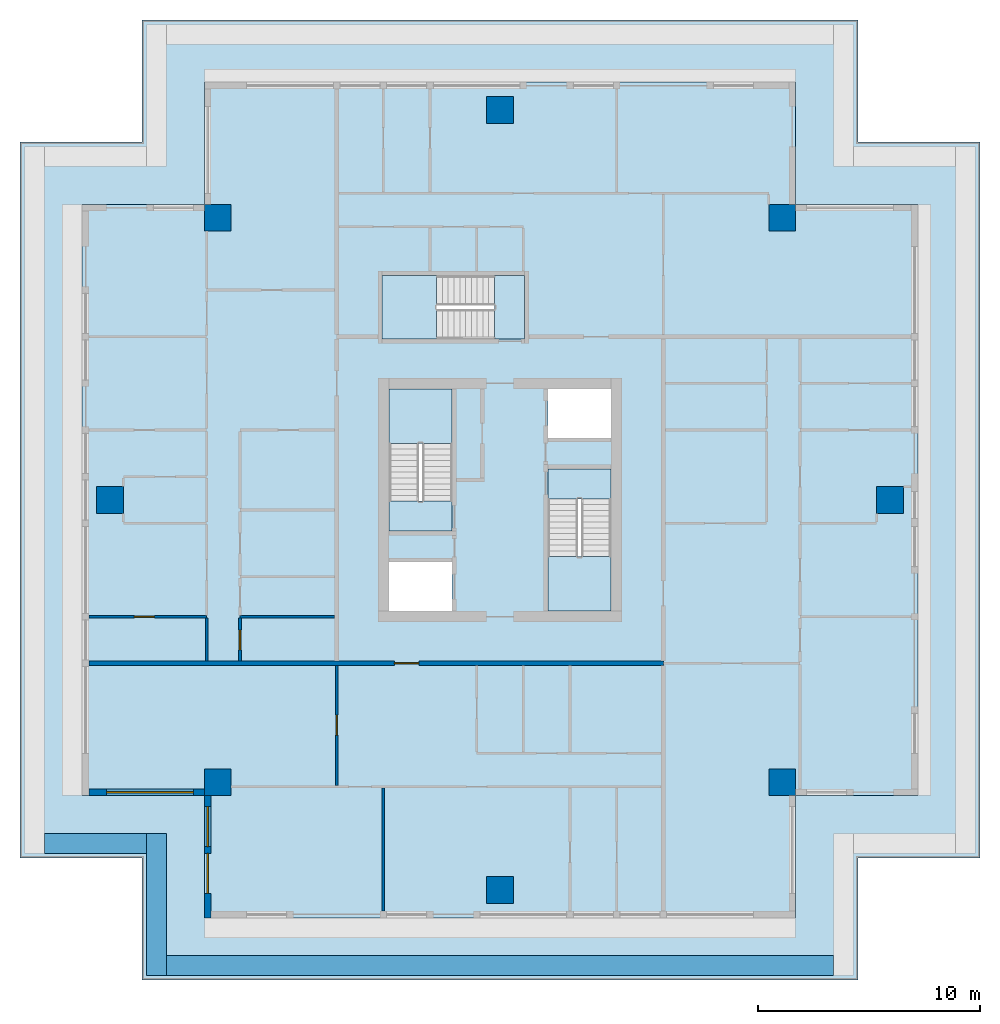
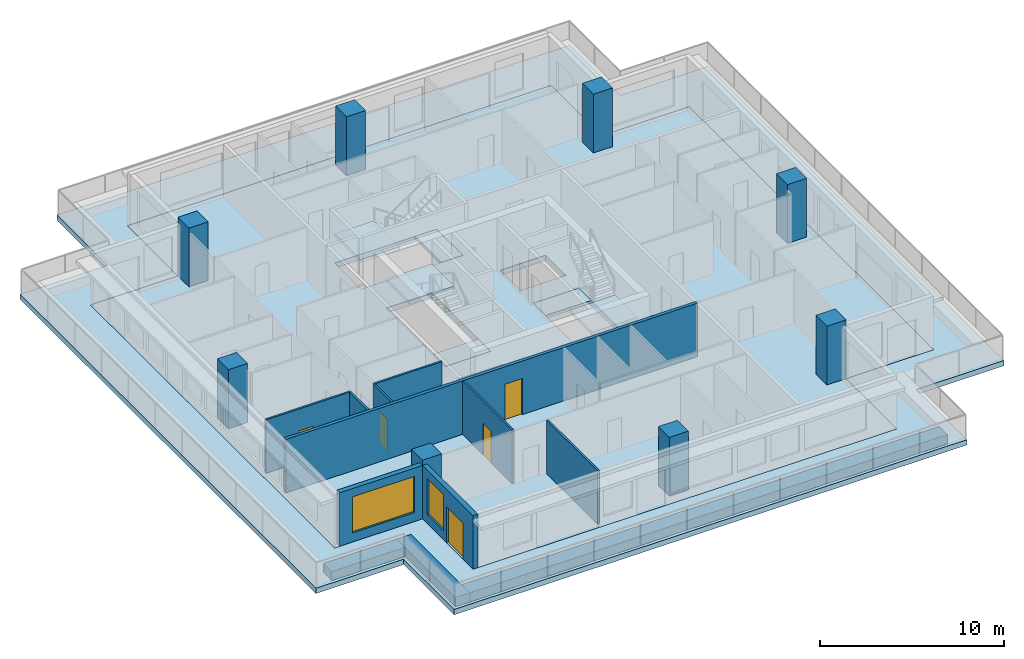
# One storey, part 1 of 10: 12 walls, 8 columns, 8 slabs, 5 doors, 2 windows, 7 openings, 3 elements without a shape of their own.
"""IFC4 building model written with IfcOpenShell, lengths in metres."""

from ifc_helpers import new_model, si_unit, direction, frame, frame_2d, origin, origin_2d, place, context, subcontext, project, spatial, polyline, rectangle, outline, extrude, material, layer, layer_set, material_profile, profile_set, type_object, element, fill, aggregate, save


model = new_model("IFC4")

# Units and contexts
model_context = context("Model", 3, precision=1e-05, world=origin(), true_north=direction((0.0, 1.0)))
body_context = subcontext(model_context, "Body", "Model", "MODEL_VIEW")
ifc_project = project(units=[si_unit("LENGTHUNIT", "METRE"), si_unit("AREAUNIT", "SQUARE_METRE"), si_unit("VOLUMEUNIT", "CUBIC_METRE"), si_unit("PLANEANGLEUNIT", "RADIAN"), si_unit("MASSUNIT", "GRAM", prefix="KILO")], contexts=[model_context])

# Site, building, storey
site_placement = place(None, origin())
site = spatial("IfcSite", under=ifc_project, at=site_placement, CompositionType="ELEMENT")
building_placement = place(site_placement, origin())
building = spatial("IfcBuilding", under=site, at=building_placement, Name="Khepri Terraces", CompositionType="ELEMENT")
storey_placement = place(building_placement, frame((0.0, 0.0, 300.60009765625)))
storey = spatial("IfcBuildingStorey", under=building, at=storey_placement, Name="L72", CompositionType="ELEMENT", Elevation=300.60009765625)

# Columns
ifc_material_1 = material(Name="Concrete C40/50", Category="concrete")
ifc_material_profile = material_profile(ifc_material_1, rectangle(XDim=1.199951171875, YDim=1.199951171875, at=origin_2d()), Name="Concrete C40/50", Category="concrete")
ifc_profile_set = profile_set([ifc_material_profile], Name="Concrete C40/50")
column_type = type_object("IfcColumnType", Name="Crown column RC 1200x1200 C40/50", PredefinedType="COLUMN", material=ifc_profile_set)
for number, where, z_axis, x_axis, name in (
    (1, (17.550048828125, 0.0, -0.35009765625), (0.0, 0.0, 1.0), (1.0, 0.0, 0.0), "Crown column CT2E L72"),
    (2, (12.699951171875, 12.699951171875, -0.35009765625), (0.0, 0.0, 1.0), (1.0, 0.0, 0.0), "Crown column CT2EN L72"),
    (3, (12.699951171875, -12.699951171875, -0.35009765625), (0.0, 0.0, 1.0), (1.0, 0.0, 0.0), "Crown column CT2ES L72"),
    (4, (0.0, 17.550048828125, -0.35009765625), (0.0, 0.0, 1.0), (1.0, 0.0, 0.0), "Crown column CT2N L72"),
    (5, (0.0, -17.550048828125, -0.35009765625), (0.0, 0.0, 1.0), (1.0, 0.0, 0.0), "Crown column CT2S L72"),
    (6, (-17.550048828125, 0.0, -0.35009765625), (0.0, 0.0, 1.0), (1.0, 0.0, 0.0), "Crown column CT2W L72"),
    (7, (-12.699951171875, 12.699951171875, -0.35009765625), (0.0, 0.0, 1.0), (1.0, 0.0, 0.0), "Crown column CT2WN L72"),
    (8, (-12.699951171875, -12.699951171875, -0.35009765625), (0.0, 0.0, 1.0), (1.0, 0.0, 0.0), "Crown column CT2WS L72"),
):
    element("IfcColumn", number, at=place(storey_placement, frame(where, z_axis=z_axis, x_axis=x_axis)), inside=storey, type_object=column_type, Name=name, PredefinedType="COLUMN", context=body_context, shape_type="SweptSolid", body=[
        extrude(rectangle(XDim=1.199951171875, YDim=1.199951171875, at=origin_2d()), origin(), (0.0, 0.0, 1.0), 4.25),
    ])

# Slabs
ifc_layer_1 = layer(ifc_material_1, 0.35009765625, Name="Concrete C40/50", Category="concrete")
ifc_layer_set_1 = layer_set([ifc_layer_1], Name="Concrete C40/50")
slab_type_1 = type_object("IfcSlabType", Name="Crown floor slab 350", PredefinedType="FLOOR", material=ifc_layer_set_1)
slab_1_placement = place(storey_placement, frame((0.0, 0.0, -0.35009765625)))
element("IfcSlab", 9, at=slab_1_placement, inside=storey, type_object=slab_type_1, Name="Floor slab F01 L72", PredefinedType="FLOOR", context=body_context, shape_type="SweptSolid", body=[
    extrude(outline(polyline([(-18.800048828125, -13.300048828125), (-18.800048828125, 13.300048828125), (-13.300048828125, 13.300048828125), (-13.300048828125, 18.800048828125), (13.300048828125, 18.800048828125), (13.300048828125, 13.300048828125), (18.800048828125, 13.300048828125), (18.800048828125, -13.300048828125), (13.300048828125, -13.300048828125), (13.300048828125, -18.800048828125), (-13.300048828125, -18.800048828125), (-13.300048828125, -13.300048828125), (-18.800048828125, -13.300048828125)]), holes=[polyline([(5.0, 5.0), (2.14990234375, 5.0), (2.14990234375, 2.800048828125), (5.0, 2.800048828125), (5.0, 5.0)]), polyline([(-2.14990234375, -5.0), (-2.14990234375, -2.800048828125), (-5.0, -2.800048828125), (-5.0, -5.0), (-2.14990234375, -5.0)]), polyline([(-5.0, -1.39990234375), (-2.14990234375, -1.39990234375), (-2.14990234375, 5.0), (-5.0, 5.0), (-5.0, -1.39990234375)]), polyline([(5.0, -5.0), (5.0, 1.39990234375), (2.14990234375, 1.39990234375), (2.14990234375, -5.0), (5.0, -5.0)]), polyline([(-5.300048828125, 10.10009765625), (-5.300048828125, 7.25), (1.10009765625, 7.25), (1.10009765625, 10.10009765625), (-5.300048828125, 10.10009765625)])]), origin(), (0.0, 0.0, 1.0), 0.35009765625),
])
ifc_layer_2 = layer(ifc_material_1, 0.35009765625, Name="Concrete C40/50", Category="concrete")
ifc_layer_set_2 = layer_set([ifc_layer_2], Name="Concrete C40/50")
slab_type_2 = type_object("IfcSlabType", Name="Crown roof slab 350", PredefinedType="ROOF", material=ifc_layer_set_2)
slab_2_placement = place(storey_placement, frame((0.0, 0.0, -0.35009765625)))
element("IfcSlab", 10, at=slab_2_placement, inside=storey, type_object=slab_type_2, Name="Roof slab R01 below L72", PredefinedType="ROOF", context=body_context, shape_type="SweptSolid", body=[
    extrude(outline(polyline([(-16.10009765625, -16.10009765625), (-18.800048828125, -16.10009765625), (-21.60009765625, -16.10009765625), (-21.60009765625, 16.10009765625), (-18.800048828125, 16.10009765625), (-16.10009765625, 16.10009765625), (-16.10009765625, 18.800048828125), (-16.10009765625, 21.60009765625), (16.10009765625, 21.60009765625), (16.10009765625, 18.800048828125), (16.10009765625, 16.10009765625), (18.800048828125, 16.10009765625), (21.60009765625, 16.10009765625), (21.60009765625, -16.10009765625), (18.800048828125, -16.10009765625), (16.10009765625, -16.10009765625), (16.10009765625, -18.800048828125), (16.10009765625, -21.60009765625), (-16.10009765625, -21.60009765625), (-16.10009765625, -18.800048828125), (-16.10009765625, -16.10009765625)]), holes=[polyline([(-18.800048828125, -13.300048828125), (-13.300048828125, -13.300048828125), (-13.300048828125, -18.800048828125), (13.300048828125, -18.800048828125), (13.300048828125, -13.300048828125), (18.800048828125, -13.300048828125), (18.800048828125, 13.300048828125), (13.300048828125, 13.300048828125), (13.300048828125, 18.800048828125), (-13.300048828125, 18.800048828125), (-13.300048828125, 13.300048828125), (-18.800048828125, 13.300048828125), (-18.800048828125, -13.300048828125)])]), origin(), (0.0, 0.0, 1.0), 0.35009765625),
])

# Stair, slabs
stair_type = type_object("IfcStairType", Name="STAIR-RC-22R", PredefinedType="HALF_TURN_STAIR", material=ifc_material_1)
stair_1_placement = place(storey_placement, origin())
stair_1 = element("IfcStair", 11, at=stair_1_placement, inside=storey, type_object=stair_type, Name="L72 Exit Stair ST-1", PredefinedType="HALF_TURN_STAIR")
ifc_layer_3 = layer(ifc_material_1, 0.199951171875, Name="Concrete C40/50", Category="concrete")
ifc_layer_set_3 = layer_set([ifc_layer_3], Name="Concrete C40/50")
slab_type_3 = type_object("IfcSlabType", Name="SLB-CORE-LANDING", PredefinedType="LANDING", material=ifc_layer_set_3)
slab_3_placement = place(storey_placement, frame((0.0, 0.0, -0.2001953125)))
slab_3 = element("IfcSlab", 12, at=slab_3_placement, type_object=slab_type_3, Name="ST-1 landing 1", PredefinedType="LANDING", context=body_context, shape_type="SweptSolid", body=[
    extrude(outline(polyline([(-2.14990234375, -1.39990234375), (-2.14990234375, -0.050048828125), (-5.0, -0.050048828125), (-5.0, -1.39990234375), (-2.14990234375, -1.39990234375)])), origin(), (0.0, 0.0, 1.0), 0.2001953125),
])
slab_4_placement = place(storey_placement, frame((0.0, 0.0, 1.75)))
slab_4 = element("IfcSlab", 13, at=slab_4_placement, type_object=slab_type_3, Name="ST-1 landing 2", PredefinedType="LANDING", context=body_context, shape_type="SweptSolid", body=[
    extrude(outline(polyline([(-2.14990234375, 2.550048828125), (-2.14990234375, 5.0), (-5.0, 5.0), (-5.0, 2.550048828125), (-2.14990234375, 2.550048828125)])), origin(), (0.0, 0.0, 1.0), 0.199951171875),
])
aggregate(stair_1, [slab_3, slab_4])

stair_2_placement = place(storey_placement, origin())
stair_2 = element("IfcStair", 14, at=stair_2_placement, inside=storey, type_object=stair_type, Name="L72 Exit Stair ST-2", PredefinedType="HALF_TURN_STAIR")
slab_5_placement = place(storey_placement, frame((0.0, 0.0, -0.2001953125)))
slab_5 = element("IfcSlab", 15, at=slab_5_placement, type_object=slab_type_3, Name="ST-2 landing 1", PredefinedType="LANDING", context=body_context, shape_type="SweptSolid", body=[
    extrude(outline(polyline([(2.14990234375, 1.39990234375), (2.14990234375, 0.050048828125), (5.0, 0.050048828125), (5.0, 1.39990234375), (2.14990234375, 1.39990234375)])), origin(), (0.0, 0.0, 1.0), 0.2001953125),
])
slab_6_placement = place(storey_placement, frame((0.0, 0.0, 1.75)))
slab_6 = element("IfcSlab", 16, at=slab_6_placement, type_object=slab_type_3, Name="ST-2 landing 2", PredefinedType="LANDING", context=body_context, shape_type="SweptSolid", body=[
    extrude(outline(polyline([(2.14990234375, -2.550048828125), (2.14990234375, -5.0), (5.0, -5.0), (5.0, -2.550048828125), (2.14990234375, -2.550048828125)])), origin(), (0.0, 0.0, 1.0), 0.199951171875),
])
aggregate(stair_2, [slab_5, slab_6])

stair_3_placement = place(storey_placement, origin())
stair_3 = element("IfcStair", 17, at=stair_3_placement, inside=storey, type_object=stair_type, Name="L72 Exit Stair ST-3", PredefinedType="HALF_TURN_STAIR")
slab_7_placement = place(storey_placement, frame((0.0, 0.0, -0.2001953125)))
slab_7 = element("IfcSlab", 18, at=slab_7_placement, type_object=slab_type_3, Name="ST-3 landing 1", PredefinedType="LANDING", context=body_context, shape_type="SweptSolid", body=[
    extrude(outline(polyline([(1.10009765625, 10.10009765625), (-0.25, 10.10009765625), (-0.25, 7.25), (1.10009765625, 7.25), (1.10009765625, 10.10009765625)])), origin(), (0.0, 0.0, 1.0), 0.2001953125),
])
slab_8_placement = place(storey_placement, frame((0.0, 0.0, 1.75)))
slab_8 = element("IfcSlab", 19, at=slab_8_placement, type_object=slab_type_3, Name="ST-3 landing 2", PredefinedType="LANDING", context=body_context, shape_type="SweptSolid", body=[
    extrude(outline(polyline([(-2.85009765625, 10.10009765625), (-5.300048828125, 10.10009765625), (-5.300048828125, 7.25), (-2.85009765625, 7.25), (-2.85009765625, 10.10009765625)])), origin(), (0.0, 0.0, 1.0), 0.199951171875),
])
aggregate(stair_3, [slab_7, slab_8])

# Wall, opening, door
ifc_material_2 = material(Name="Fire-rated gypsum plasterboard partition, mineral wool")
ifc_layer_4 = layer(ifc_material_2, 0.199951171875, Name="Fire-rated gypsum plasterboard partition, mineral wool")
ifc_layer_set_4 = layer_set([ifc_layer_4], Name="Fire-rated gypsum plasterboard partition, mineral wool")
wall_type_1 = type_object("IfcWallType", Name="WL-CORR-200", PredefinedType="PARTITIONING", material=ifc_layer_set_4)
wall_1_placement = place(storey_placement, frame((-18.5, -7.35009765625, 0.0), z_axis=(0.0, 0.0, 1.0), x_axis=(1.0, 0.0, 0.0)))
wall_1 = element("IfcWall", 20, at=wall_1_placement, inside=storey, type_object=wall_type_1, Name="Partition P-012 L72", PredefinedType="PARTITIONING", context=body_context, shape_type="SweptSolid", body=[
    extrude(rectangle(XDim=25.85009765625, YDim=0.199951171875, at=frame_2d((12.925048828125, 0.0))), origin(), (0.0, 0.0, 1.0), 3.5498046875),
])
opening_1_placement = place(wall_1_placement, frame((13.75, 0.0, 0.0)))
opening_1 = element("IfcOpeningElement", 21, at=opening_1_placement, cuts=wall_1, Name="Opening D1", PredefinedType="OPENING", context=body_context, shape_type="SweptSolid", body=[
    extrude(rectangle(XDim=1.10009765625, YDim=2.39990234375, at=frame_2d((0.550048828125, 1.199951171875))), frame((0.0, 0.10986328125, 0.0), z_axis=(0.0, -1.0, 0.0), x_axis=(1.0, 0.0, 0.0)), (0.0, 0.0, 1.0), 0.219970703125),
])
ifc_material_3 = material(Name="Solid-core timber door leaf, flat entrance door", Category="wood")
door_type_1 = type_object("IfcDoorType", Name="DR-ENT-1100", OperationType="NOTDEFINED", PredefinedType="DOOR", material=ifc_material_3)
door_1_placement = place(opening_1_placement, frame((1.10009765625, 0.0, 0.0), z_axis=(0.0, 0.0, 1.0), x_axis=(-1.0, 0.0, 0.0)))
door_1 = element("IfcDoor", 22, at=door_1_placement, inside=storey, type_object=door_type_1, Name="Flat A1 entrance door", OperationType="SINGLE_SWING_LEFT", OverallHeight=2.39990234375, OverallWidth=1.10009765625, PredefinedType="DOOR", context=body_context, shape_type="SweptSolid", body=[
    extrude(rectangle(XDim=1.10009765625, YDim=2.39990234375, at=frame_2d((0.550048828125, 1.199951171875))), frame((0.0, 0.02490234375, 0.0), z_axis=(0.0, -1.0, 0.0), x_axis=(1.0, 0.0, 0.0)), (0.0, 0.0, 1.0), 0.050048828125),
])
fill(opening_1, door_1)

# Wall, opening, window
ifc_material_4 = material(Name="Precast concrete C50/60 warm stone", Category="masonry")
ifc_layer_5 = layer(ifc_material_4, 0.300048828125, Name="Precast concrete C50/60 warm stone", Category="masonry")
ifc_layer_set_5 = layer_set([ifc_layer_5], Name="Precast concrete C50/60 warm stone")
wall_type_2 = type_object("IfcWallType", Name="WL-EXT-PRECAST-300", PredefinedType="STANDARD", material=ifc_layer_set_5)
wall_2_placement = place(storey_placement, frame((-18.5, -13.14990234375, 0.0), z_axis=(0.0, 0.0, 1.0), x_axis=(1.0, 0.0, 0.0)))
wall_2 = element("IfcWall", 23, at=wall_2_placement, inside=storey, type_object=wall_type_2, Name="External wall L72 S", PredefinedType="STANDARD", context=body_context, shape_type="SweptSolid", body=[
    extrude(rectangle(XDim=5.199951171875, YDim=0.300048828125, at=frame_2d((2.60009765625, 0.0))), origin(), (0.0, 0.0, 1.0), 3.5498046875),
])
opening_2_placement = place(wall_2_placement, frame((0.800048828125, 0.0, 0.60009765625)))
opening_2 = element("IfcOpeningElement", 24, at=opening_2_placement, cuts=wall_2, Name="Opening WC2", PredefinedType="OPENING", context=body_context, shape_type="SweptSolid", body=[
    extrude(rectangle(XDim=3.89990234375, YDim=2.39990234375, at=frame_2d((1.949951171875, 1.199951171875))), frame((0.0, 0.16015625, 0.0), z_axis=(0.0, -1.0, 0.0), x_axis=(1.0, 0.0, 0.0)), (0.0, 0.0, 1.0), 0.320068359375),
])
ifc_material_5 = material(Name="Clear glass", Category="glass")
window_type_1 = type_object("IfcWindowType", Name="WIN-CRN-3900x2400", PartitioningType="SINGLE_PANEL", PredefinedType="WINDOW", material=ifc_material_5)
window_1_placement = place(opening_2_placement, origin())
window_1 = element("IfcWindow", 25, at=window_1_placement, inside=storey, type_object=window_type_1, Name="Window L72 S", OverallHeight=2.39990234375, OverallWidth=3.89990234375, PartitioningType="SINGLE_PANEL", PredefinedType="WINDOW", context=body_context, shape_type="SweptSolid", body=[
    extrude(rectangle(XDim=3.89990234375, YDim=2.39990234375, at=frame_2d((1.949951171875, 1.199951171875))), frame((0.0, 0.030029296875, 0.0), z_axis=(0.0, -1.0, 0.0), x_axis=(1.0, 0.0, 0.0)), (0.0, 0.0, 1.0), 0.06005859375),
])
fill(opening_2, window_1)

# Wall, openings, door, window
wall_3_placement = place(storey_placement, frame((-13.14990234375, -13.300048828125, 0.0), z_axis=(0.0, 0.0, 1.0), x_axis=(0.0, -1.0, 0.0)))
wall_3 = element("IfcWall", 26, at=wall_3_placement, inside=storey, type_object=wall_type_2, Name="External wall L72 W", PredefinedType="STANDARD", context=body_context, shape_type="SweptSolid", body=[
    extrude(rectangle(XDim=5.5, YDim=0.300048828125, at=frame_2d((2.75, 0.0))), origin(), (0.0, 0.0, 1.0), 3.5498046875),
])
opening_3_placement = place(wall_3_placement, frame((0.5, 0.0, 0.60009765625)))
opening_3 = element("IfcOpeningElement", 27, at=opening_3_placement, cuts=wall_3, Name="Opening WC1", PredefinedType="OPENING", context=body_context, shape_type="SweptSolid", body=[
    extrude(rectangle(XDim=1.800048828125, YDim=2.39990234375, at=frame_2d((0.89990234375, 1.199951171875))), frame((0.0, 0.16015625, 0.0), z_axis=(0.0, -1.0, 0.0), x_axis=(1.0, 0.0, 0.0)), (0.0, 0.0, 1.0), 0.320068359375),
])
opening_4_placement = place(wall_3_placement, frame((2.60009765625, 0.0, 0.0)))
opening_4 = element("IfcOpeningElement", 28, at=opening_4_placement, cuts=wall_3, Name="Opening ED-L72-10", PredefinedType="OPENING", context=body_context, shape_type="SweptSolid", body=[
    extrude(rectangle(XDim=1.800048828125, YDim=2.39990234375, at=frame_2d((0.89990234375, 1.199951171875))), frame((0.0, 0.16015625, 0.0), z_axis=(0.0, -1.0, 0.0), x_axis=(1.0, 0.0, 0.0)), (0.0, 0.0, 1.0), 0.320068359375),
])
ifc_material_6 = material(Name="Anodised aluminium bronze glazed door", Category="aluminium")
door_type_2 = type_object("IfcDoorType", Name="DR-BAL-SLIDE-1800x2400", OperationType="NOTDEFINED", PredefinedType="DOOR", material=ifc_material_6)
door_2_placement = place(opening_4_placement, origin())
door_2 = element("IfcDoor", 29, at=door_2_placement, inside=storey, type_object=door_type_2, Name="Balcony door L72 W", OperationType="SLIDING_TO_LEFT", OverallHeight=2.39990234375, OverallWidth=1.800048828125, PredefinedType="DOOR", context=body_context, shape_type="SweptSolid", body=[
    extrude(rectangle(XDim=1.800048828125, YDim=2.39990234375, at=frame_2d((0.89990234375, 1.199951171875))), frame((0.0, 0.02490234375, 0.0), z_axis=(0.0, -1.0, 0.0), x_axis=(1.0, 0.0, 0.0)), (0.0, 0.0, 1.0), 0.050048828125),
])
fill(opening_4, door_2)
window_type_2 = type_object("IfcWindowType", Name="WIN-CRN-1800x2400", PartitioningType="SINGLE_PANEL", PredefinedType="WINDOW", material=ifc_material_5)
window_2_placement = place(opening_3_placement, origin())
window_2 = element("IfcWindow", 30, at=window_2_placement, inside=storey, type_object=window_type_2, Name="Window L72 W", OverallHeight=2.39990234375, OverallWidth=1.800048828125, PartitioningType="SINGLE_PANEL", PredefinedType="WINDOW", context=body_context, shape_type="SweptSolid", body=[
    extrude(rectangle(XDim=1.800048828125, YDim=2.39990234375, at=frame_2d((0.89990234375, 1.199951171875))), frame((0.0, 0.030029296875, 0.0), z_axis=(0.0, -1.0, 0.0), x_axis=(1.0, 0.0, 0.0)), (0.0, 0.0, 1.0), 0.06005859375),
])
fill(opening_3, window_2)

# Wall
ifc_material_7 = material(Name="Gypsum plasterboard partition")
ifc_layer_6 = layer(ifc_material_7, 0.1201171875, Name="Gypsum plasterboard partition")
ifc_layer_set_6 = layer_set([ifc_layer_6], Name="Gypsum plasterboard partition")
wall_type_3 = type_object("IfcWallType", Name="WL-PART-120", PredefinedType="PARTITIONING", material=ifc_layer_set_6)
wall_4_placement = place(storey_placement, frame((-5.25, -18.5, 0.0), z_axis=(0.0, 0.0, 1.0), x_axis=(0.0, 1.0, 0.0)))
element("IfcWall", 31, at=wall_4_placement, inside=storey, type_object=wall_type_3, Name="Partition P-001 L72", PredefinedType="PARTITIONING", context=body_context, shape_type="SweptSolid", body=[
    extrude(rectangle(XDim=5.5400390625, YDim=0.1201171875, at=frame_2d((2.77001953125, 0.0))), origin(), (0.0, 0.0, 1.0), 3.5498046875),
])

# Wall, opening, door
wall_5_placement = place(storey_placement, frame((-7.35009765625, -12.840087890625, 0.0), z_axis=(0.0, 0.0, 1.0), x_axis=(0.0, 1.0, 0.0)))
wall_5 = element("IfcWall", 32, at=wall_5_placement, inside=storey, type_object=wall_type_3, Name="Partition P-007 L72", PredefinedType="PARTITIONING", context=body_context, shape_type="SweptSolid", body=[
    extrude(rectangle(XDim=5.39013671875, YDim=0.1201171875, at=frame_2d((2.695068359375, 0.0))), origin(), (0.0, 0.0, 1.0), 3.5498046875),
])
opening_5_placement = place(wall_5_placement, frame((2.264892578125, 0.0, 0.0)))
opening_5 = element("IfcOpeningElement", 33, at=opening_5_placement, cuts=wall_5, Name="Opening D3", PredefinedType="OPENING", context=body_context, shape_type="SweptSolid", body=[
    extrude(rectangle(XDim=0.89990234375, YDim=2.10009765625, at=frame_2d((0.449951171875, 1.050048828125))), frame((0.0, 0.070068359375, 0.0), z_axis=(0.0, -1.0, 0.0), x_axis=(1.0, 0.0, 0.0)), (0.0, 0.0, 1.0), 0.14013671875),
])
ifc_material_8 = material(Name="Timber door leaf", Category="wood")
door_type_3 = type_object("IfcDoorType", Name="DR-INT-900", OperationType="NOTDEFINED", PredefinedType="DOOR", material=ifc_material_8)
door_3_placement = place(opening_5_placement, origin())
door_3 = element("IfcDoor", 34, at=door_3_placement, inside=storey, type_object=door_type_3, Name="Door Home Cinema", OperationType="SINGLE_SWING_RIGHT", OverallHeight=2.10009765625, OverallWidth=0.89990234375, PredefinedType="DOOR", context=body_context, shape_type="SweptSolid", body=[
    extrude(rectangle(XDim=0.89990234375, YDim=2.10009765625, at=frame_2d((0.449951171875, 1.050048828125))), frame((0.0, 0.02490234375, 0.0), z_axis=(0.0, -1.0, 0.0), x_axis=(1.0, 0.0, 0.0)), (0.0, 0.0, 1.0), 0.050048828125),
])
fill(opening_5, door_3)

# Wall
wall_6_placement = place(storey_placement, frame((-13.199951171875, -7.25, 0.0), z_axis=(0.0, 0.0, 1.0), x_axis=(0.0, 1.0, 0.0)))
element("IfcWall", 35, at=wall_6_placement, inside=storey, type_object=wall_type_3, Name="Partition P-015 L72", PredefinedType="PARTITIONING", context=body_context, shape_type="SweptSolid", body=[
    extrude(rectangle(XDim=1.93994140625, YDim=0.1201171875, at=frame_2d((0.969970703125, 0.0))), origin(), (0.0, 0.0, 1.0), 3.5498046875),
])

# Wall, opening, door
wall_7_placement = place(storey_placement, frame((-11.699951171875, -7.25, 0.0), z_axis=(0.0, 0.0, 1.0), x_axis=(0.0, 1.0, 0.0)))
wall_7 = element("IfcWall", 36, at=wall_7_placement, inside=storey, type_object=wall_type_3, Name="Partition P-016 L72", PredefinedType="PARTITIONING", context=body_context, shape_type="SweptSolid", body=[
    extrude(rectangle(XDim=1.93994140625, YDim=0.1201171875, at=frame_2d((0.969970703125, 0.0))), origin(), (0.0, 0.0, 1.0), 3.5498046875),
])
opening_6_placement = place(wall_7_placement, frame((0.5, 0.0, 0.0)))
opening_6 = element("IfcOpeningElement", 37, at=opening_6_placement, cuts=wall_7, Name="Opening D3", PredefinedType="OPENING", context=body_context, shape_type="SweptSolid", body=[
    extrude(rectangle(XDim=0.89990234375, YDim=2.10009765625, at=frame_2d((0.449951171875, 1.050048828125))), frame((0.0, 0.070068359375, 0.0), z_axis=(0.0, -1.0, 0.0), x_axis=(1.0, 0.0, 0.0)), (0.0, 0.0, 1.0), 0.14013671875),
])
door_4_placement = place(opening_6_placement, frame((0.89990234375, 0.0, 0.0), z_axis=(0.0, 0.0, 1.0), x_axis=(-1.0, 0.0, 0.0)))
door_4 = element("IfcDoor", 38, at=door_4_placement, inside=storey, type_object=door_type_3, Name="Door Utility Room", OperationType="SINGLE_SWING_RIGHT", OverallHeight=2.10009765625, OverallWidth=0.89990234375, PredefinedType="DOOR", context=body_context, shape_type="SweptSolid", body=[
    extrude(rectangle(XDim=0.89990234375, YDim=2.10009765625, at=frame_2d((0.449951171875, 1.050048828125))), frame((0.0, 0.02490234375, 0.0), z_axis=(0.0, -1.0, 0.0), x_axis=(1.0, 0.0, 0.0)), (0.0, 0.0, 1.0), 0.050048828125),
])
fill(opening_6, door_4)

wall_8_placement = place(storey_placement, frame((-18.5, -5.25, 0.0), z_axis=(0.0, 0.0, 1.0), x_axis=(1.0, 0.0, 0.0)))
wall_8 = element("IfcWall", 39, at=wall_8_placement, inside=storey, type_object=wall_type_3, Name="Partition P-019 L72", PredefinedType="PARTITIONING", context=body_context, shape_type="SweptSolid", body=[
    extrude(rectangle(XDim=5.300048828125, YDim=0.1201171875, at=frame_2d((2.64990234375, 0.0))), origin(), (0.0, 0.0, 1.0), 3.5498046875),
])
opening_7_placement = place(wall_8_placement, frame((2.050048828125, 0.0, 0.0)))
opening_7 = element("IfcOpeningElement", 40, at=opening_7_placement, cuts=wall_8, Name="Opening D4", PredefinedType="OPENING", context=body_context, shape_type="SweptSolid", body=[
    extrude(rectangle(XDim=0.89990234375, YDim=2.10009765625, at=frame_2d((0.449951171875, 1.050048828125))), frame((0.0, 0.070068359375, 0.0), z_axis=(0.0, -1.0, 0.0), x_axis=(1.0, 0.0, 0.0)), (0.0, 0.0, 1.0), 0.14013671875),
])
ifc_material_9 = material(Name="Timber door leaf, moisture resistant", Category="wood")
door_type_4 = type_object("IfcDoorType", Name="DR-WET-900", OperationType="NOTDEFINED", PredefinedType="DOOR", material=ifc_material_9)
door_5_placement = place(opening_7_placement, frame((0.89990234375, 0.0, 0.0), z_axis=(0.0, 0.0, 1.0), x_axis=(-1.0, 0.0, 0.0)))
door_5 = element("IfcDoor", 41, at=door_5_placement, inside=storey, type_object=door_type_4, Name="Door Bathroom", OperationType="SINGLE_SWING_RIGHT", OverallHeight=2.10009765625, OverallWidth=0.89990234375, PredefinedType="DOOR", context=body_context, shape_type="SweptSolid", body=[
    extrude(rectangle(XDim=0.89990234375, YDim=2.10009765625, at=frame_2d((0.449951171875, 1.050048828125))), frame((0.0, 0.02490234375, 0.0), z_axis=(0.0, -1.0, 0.0), x_axis=(1.0, 0.0, 0.0)), (0.0, 0.0, 1.0), 0.050048828125),
])
fill(opening_7, door_5)

# Walls
wall_9_placement = place(storey_placement, frame((-11.699951171875, -5.25, 0.0), z_axis=(0.0, 0.0, 1.0), x_axis=(1.0, 0.0, 0.0)))
element("IfcWall", 42, at=wall_9_placement, inside=storey, type_object=wall_type_3, Name="Partition P-020 L72", PredefinedType="PARTITIONING", context=body_context, shape_type="SweptSolid", body=[
    extrude(rectangle(XDim=4.25, YDim=0.1201171875, at=frame_2d((2.125, 0.0))), origin(), (0.0, 0.0, 1.0), 3.5498046875),
])
ifc_layer_7 = layer(ifc_material_4, 0.89990234375, Name="Precast concrete C50/60 warm stone", Category="masonry")
ifc_layer_set_7 = layer_set([ifc_layer_7], Name="Precast concrete C50/60 warm stone")
wall_type_4 = type_object("IfcWallType", Name="WL-PLANTER-900", PredefinedType="MOVABLE", material=ifc_layer_set_7)
wall_10_placement = place(storey_placement, frame((-20.5, -15.449951171875, 0.0), z_axis=(0.0, 0.0, 1.0), x_axis=(1.0, 0.0, 0.0)))
element("IfcWall", 43, at=wall_10_placement, inside=storey, type_object=wall_type_4, Name="Planter L72", PredefinedType="MOVABLE", context=body_context, shape_type="SweptSolid", body=[
    extrude(rectangle(XDim=4.60009765625, YDim=0.89990234375, at=frame_2d((2.300048828125, 0.0))), origin(), (0.0, 0.0, 1.0), 0.599853515625),
])
wall_11_placement = place(storey_placement, frame((-15.449951171875, -21.39990234375, 0.0), z_axis=(0.0, 0.0, 1.0), x_axis=(0.0, 1.0, 0.0)))
element("IfcWall", 44, at=wall_11_placement, inside=storey, type_object=wall_type_4, Name="Planter L72", PredefinedType="MOVABLE", context=body_context, shape_type="SweptSolid", body=[
    extrude(rectangle(XDim=6.39990234375, YDim=0.89990234375, at=frame_2d((3.199951171875, 0.0))), origin(), (0.0, 0.0, 1.0), 0.599853515625),
])
wall_12_placement = place(storey_placement, frame((-15.0, -20.949951171875, 0.0), z_axis=(0.0, 0.0, 1.0), x_axis=(1.0, 0.0, 0.0)))
element("IfcWall", 45, at=wall_12_placement, inside=storey, type_object=wall_type_4, Name="Planter L72", PredefinedType="MOVABLE", context=body_context, shape_type="SweptSolid", body=[
    extrude(rectangle(XDim=30.0, YDim=0.89990234375, at=frame_2d((15.0, 0.0))), origin(), (0.0, 0.0, 1.0), 0.599853515625),
])

save(model, "model.ifc")
